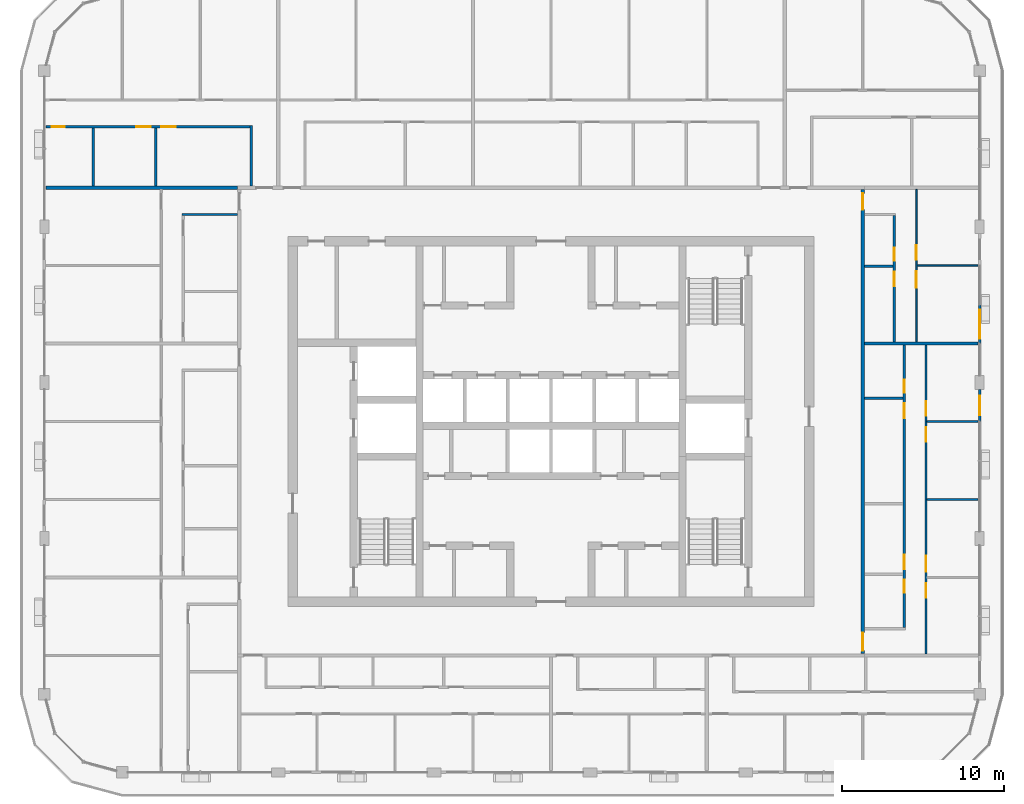
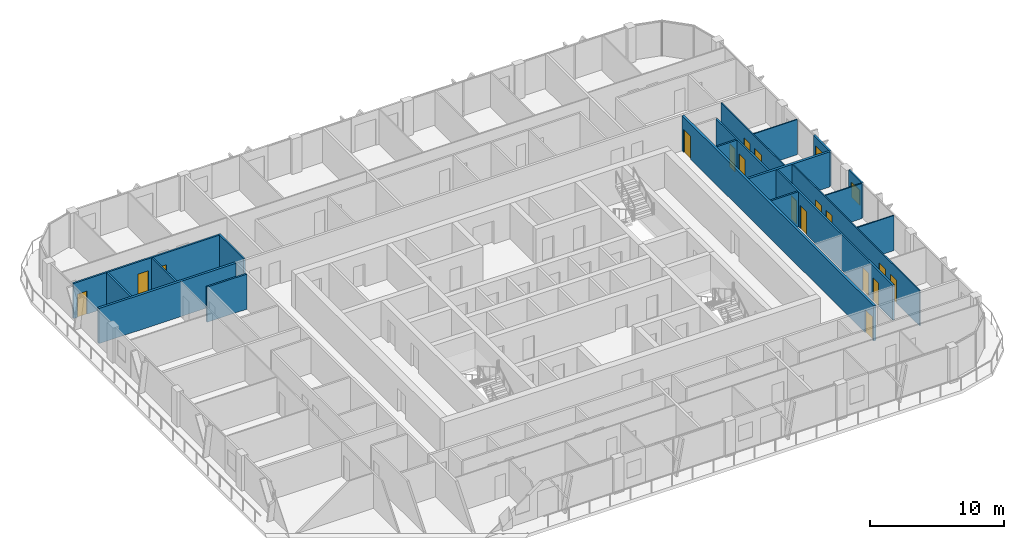
# One storey, part 13 of 21: 19 walls, 18 doors, 1 window, 19 openings.
"""IFC4 building model written with IfcOpenShell, lengths in metres."""

from ifc_helpers import new_model, si_unit, direction, frame, frame_2d, origin, place, context, subcontext, project, spatial, rectangle, extrude, material, layer, layer_set, type_object, element, fill, save


model = new_model("IFC4")

# Units and contexts
model_context = context("Model", 3, precision=1e-05, world=origin(), true_north=direction((0.0, 1.0)))
body_context = subcontext(model_context, "Body", "Model", "MODEL_VIEW")
ifc_project = project(units=[si_unit("LENGTHUNIT", "METRE"), si_unit("AREAUNIT", "SQUARE_METRE"), si_unit("VOLUMEUNIT", "CUBIC_METRE"), si_unit("PLANEANGLEUNIT", "RADIAN"), si_unit("MASSUNIT", "GRAM", prefix="KILO")], contexts=[model_context])

# Site, building, storey
site_placement = place(None, origin())
site = spatial("IfcSite", under=ifc_project, at=site_placement, CompositionType="ELEMENT")
building_placement = place(site_placement, origin())
building = spatial("IfcBuilding", under=site, at=building_placement, Name="Madar Terraces", CompositionType="ELEMENT")
storey_placement = place(building_placement, frame((0.0, 0.0, 245.699951171875)))
storey = spatial("IfcBuildingStorey", under=building, at=storey_placement, Name="L64", CompositionType="ELEMENT", Elevation=245.699951171875)

# Wall, opening, window
ifc_material_1 = material(Name="Aluminium composite panel, black, over insulated backing", Category="aluminium")
ifc_layer_1 = layer(ifc_material_1, 0.14990234375)
ifc_layer_set_1 = layer_set([ifc_layer_1], Name="Facade bay panel 150")
wall_type_1 = type_object("IfcWallType", Name="Facade bay panel 150", PredefinedType="SOLIDWALL", material=ifc_layer_set_1)
wall_1_placement = place(storey_placement, frame((57.60009765625, 26.39990234375, 0.0), z_axis=(0.0, 0.0, 1.0), x_axis=(0.0, 1.0, 0.0)))
wall_1 = element("IfcWall", 1, at=wall_1_placement, inside=storey, type_object=wall_type_1, Name="Facade bay panel", PredefinedType="SOLIDWALL", context=body_context, shape_type="SweptSolid", body=[
    extrude(rectangle(XDim=1.97509765625, YDim=0.14990234375, at=frame_2d((0.987548828125, 0.0))), origin(), (0.0, 0.0, 1.0), 3.199951171875),
])
opening_1_placement = place(wall_1_placement, frame((0.387451171875, 0.0, 0.89990234375)))
opening_1 = element("IfcOpeningElement", 2, at=opening_1_placement, cuts=wall_1, Name="Opening W1", PredefinedType="OPENING", context=body_context, shape_type="SweptSolid", body=[
    extrude(rectangle(XDim=1.199951171875, YDim=1.39990234375, at=frame_2d((0.60009765625, 0.699951171875))), frame((0.0, 0.0849609375, 0.0), z_axis=(0.0, -1.0, 0.0), x_axis=(1.0, 0.0, 0.0)), (0.0, 0.0, 1.0), 0.169921875),
])
ifc_material_2 = material(Name="Glass, clear, with black aluminium frame", Category="aluminium")
window_type = type_object("IfcWindowType", Name="Vent window 1200 x 1400", PartitioningType="SINGLE_PANEL", PredefinedType="WINDOW", material=ifc_material_2)
window_placement = place(opening_1_placement, origin())
window = element("IfcWindow", 3, at=window_placement, inside=storey, type_object=window_type, Name="Operable vent window", OverallHeight=1.39990234375, OverallWidth=1.199951171875, PartitioningType="SINGLE_PANEL", PredefinedType="WINDOW", context=body_context, shape_type="SweptSolid", body=[
    extrude(rectangle(XDim=1.199951171875, YDim=1.39990234375, at=frame_2d((0.60009765625, 0.699951171875))), frame((0.0, 0.030029296875, 0.0), z_axis=(0.0, -1.0, 0.0), x_axis=(1.0, 0.0, 0.0)), (0.0, 0.0, 1.0), 0.06005859375),
])
fill(opening_1, window)

# Wall, opening, door
wall_2_placement = place(storey_placement, frame((57.60009765625, 31.199951171875, 0.0), z_axis=(0.0, 0.0, 1.0), x_axis=(0.0, 1.0, 0.0)))
wall_2 = element("IfcWall", 4, at=wall_2_placement, inside=storey, type_object=wall_type_1, Name="Facade bay panel", PredefinedType="SOLIDWALL", context=body_context, shape_type="SweptSolid", body=[
    extrude(rectangle(XDim=2.400146484375, YDim=0.14990234375, at=frame_2d((1.2001953125, 0.0))), origin(), (0.0, 0.0, 1.0), 3.199951171875),
])
opening_2_placement = place(wall_2_placement, frame((0.300048828125, 0.0, 0.0)))
opening_2 = element("IfcOpeningElement", 5, at=opening_2_placement, cuts=wall_2, Name="Opening ED1", PredefinedType="OPENING", context=body_context, shape_type="SweptSolid", body=[
    extrude(rectangle(XDim=1.800048828125, YDim=2.39990234375, at=frame_2d((0.89990234375, 1.199951171875))), frame((0.0, 0.0849609375, 0.0), z_axis=(0.0, -1.0, 0.0), x_axis=(1.0, 0.0, 0.0)), (0.0, 0.0, 1.0), 0.169921875),
])
ifc_material_3 = material(Name="Glass, clear, with black aluminium frame", Category="aluminium")
door_type_1 = type_object("IfcDoorType", Name="Balcony and terrace sliding door 1800 x 2400", OperationType="SLIDING_TO_LEFT", PredefinedType="DOOR", material=ifc_material_3)
door_1_placement = place(opening_2_placement, origin())
door_1 = element("IfcDoor", 6, at=door_1_placement, inside=storey, type_object=door_type_1, Name="Balcony door", OperationType="SLIDING_TO_LEFT", OverallHeight=2.39990234375, OverallWidth=1.800048828125, PredefinedType="DOOR", context=body_context, shape_type="SweptSolid", body=[
    extrude(rectangle(XDim=1.800048828125, YDim=2.39990234375, at=frame_2d((0.89990234375, 1.199951171875))), frame((0.0, 0.02490234375, 0.0), z_axis=(0.0, -1.0, 0.0), x_axis=(1.0, 0.0, 0.0)), (0.0, 0.0, 1.0), 0.050048828125),
])
fill(opening_2, door_1)

# Walls
ifc_material_4 = material(Name="Gypsum board on steel studs", Category="steel")
ifc_layer_2 = layer(ifc_material_4, 0.10009765625)
ifc_layer_set_2 = layer_set([ifc_layer_2], Name="Flat partition 100")
wall_type_2 = type_object("IfcWallType", Name="Flat partition 100", PredefinedType="PARTITIONING", material=ifc_layer_set_2)
for number, where, z_axis, x_axis, name in (
    (7, (54.35009765625, 21.60009765625, 0.0), (0.0, 0.0, 1.0), (1.0, 0.0, 0.0), "Flat partition 100"),
    (8, (54.35009765625, 26.39990234375, 0.0), (0.0, 0.0, 1.0), (1.0, 0.0, 0.0), "Flat partition 100"),
):
    element("IfcWall", number, at=place(storey_placement, frame(where, z_axis=z_axis, x_axis=x_axis)), inside=storey, type_object=wall_type_2, Name=name, PredefinedType="PARTITIONING", context=body_context, shape_type="SweptSolid", body=[
        extrude(rectangle(XDim=3.14990234375, YDim=0.10009765625, at=frame_2d((1.574951171875, 0.0))), origin(), (0.0, 0.0, 1.0), 3.199951171875),
    ])

# Wall, openings, doors
wall_3_placement = place(storey_placement, frame((54.300048828125, 31.10009765625, 0.0), z_axis=(0.0, 0.0, 1.0), x_axis=(0.0, -1.0, 0.0)))
wall_3 = element("IfcWall", 9, at=wall_3_placement, inside=storey, type_object=wall_type_2, Name="Flat partition 100", PredefinedType="PARTITIONING", context=body_context, shape_type="SweptSolid", body=[
    extrude(rectangle(XDim=19.0, YDim=0.10009765625, at=frame_2d((9.5, 0.0))), origin(), (0.0, 0.0, 1.0), 3.199951171875),
])
opening_3_placement = place(wall_3_placement, frame((14.64990234375, 0.0, 0.0)))
opening_3 = element("IfcOpeningElement", 10, at=opening_3_placement, cuts=wall_3, Name="Opening D2", PredefinedType="OPENING", context=body_context, shape_type="SweptSolid", body=[
    extrude(rectangle(XDim=0.89990234375, YDim=2.10009765625, at=frame_2d((0.449951171875, 1.050048828125))), frame((0.0, 0.06005859375, 0.0), z_axis=(0.0, -1.0, 0.0), x_axis=(1.0, 0.0, 0.0)), (0.0, 0.0, 1.0), 0.1201171875),
])
opening_4_placement = place(wall_3_placement, frame((12.949951171875, 0.0, 0.0)))
opening_4 = element("IfcOpeningElement", 11, at=opening_4_placement, cuts=wall_3, Name="Opening D3", PredefinedType="OPENING", context=body_context, shape_type="SweptSolid", body=[
    extrude(rectangle(XDim=1.0, YDim=2.10009765625, at=frame_2d((0.5, 1.050048828125))), frame((0.0, 0.06005859375, 0.0), z_axis=(0.0, -1.0, 0.0), x_axis=(1.0, 0.0, 0.0)), (0.0, 0.0, 1.0), 0.1201171875),
])
opening_5_placement = place(wall_3_placement, frame((5.050048828125, 0.0, 0.0)))
opening_5 = element("IfcOpeningElement", 12, at=opening_5_placement, cuts=wall_3, Name="Opening D2", PredefinedType="OPENING", context=body_context, shape_type="SweptSolid", body=[
    extrude(rectangle(XDim=0.89990234375, YDim=2.10009765625, at=frame_2d((0.449951171875, 1.050048828125))), frame((0.0, 0.06005859375, 0.0), z_axis=(0.0, -1.0, 0.0), x_axis=(1.0, 0.0, 0.0)), (0.0, 0.0, 1.0), 0.1201171875),
])
opening_6_placement = place(wall_3_placement, frame((3.449951171875, 0.0, 0.0)))
opening_6 = element("IfcOpeningElement", 13, at=opening_6_placement, cuts=wall_3, Name="Opening D2", PredefinedType="OPENING", context=body_context, shape_type="SweptSolid", body=[
    extrude(rectangle(XDim=0.89990234375, YDim=2.10009765625, at=frame_2d((0.449951171875, 1.050048828125))), frame((0.0, 0.06005859375, 0.0), z_axis=(0.0, -1.0, 0.0), x_axis=(1.0, 0.0, 0.0)), (0.0, 0.0, 1.0), 0.1201171875),
])
ifc_material_5 = material(Name="Timber door leaf", Category="wood")
door_type_2 = type_object("IfcDoorType", Name="Flat living room door 1000", OperationType="NOTDEFINED", PredefinedType="DOOR", material=ifc_material_5)
door_2_placement = place(opening_4_placement, origin())
door_2 = element("IfcDoor", 14, at=door_2_placement, inside=storey, type_object=door_type_2, Name="Flat living room door 1000", OperationType="SINGLE_SWING_RIGHT", OverallHeight=2.10009765625, OverallWidth=1.0, PredefinedType="DOOR", context=body_context, shape_type="SweptSolid", body=[
    extrude(rectangle(XDim=1.0, YDim=2.10009765625, at=frame_2d((0.5, 1.050048828125))), frame((0.0, 0.02490234375, 0.0), z_axis=(0.0, -1.0, 0.0), x_axis=(1.0, 0.0, 0.0)), (0.0, 0.0, 1.0), 0.050048828125),
])
fill(opening_4, door_2)
ifc_material_6 = material(Name="Timber door leaf", Category="wood")
door_type_3 = type_object("IfcDoorType", Name="Flat room door 900", OperationType="NOTDEFINED", PredefinedType="DOOR", material=ifc_material_6)
door_3_placement = place(opening_3_placement, origin())
door_3 = element("IfcDoor", 15, at=door_3_placement, inside=storey, type_object=door_type_3, Name="Flat room door 900", OperationType="SINGLE_SWING_LEFT", OverallHeight=2.10009765625, OverallWidth=0.89990234375, PredefinedType="DOOR", context=body_context, shape_type="SweptSolid", body=[
    extrude(rectangle(XDim=0.89990234375, YDim=2.10009765625, at=frame_2d((0.449951171875, 1.050048828125))), frame((0.0, 0.02490234375, 0.0), z_axis=(0.0, -1.0, 0.0), x_axis=(1.0, 0.0, 0.0)), (0.0, 0.0, 1.0), 0.050048828125),
])
fill(opening_3, door_3)
door_4_placement = place(opening_5_placement, origin())
door_4 = element("IfcDoor", 16, at=door_4_placement, inside=storey, type_object=door_type_3, Name="Flat room door 900", OperationType="SINGLE_SWING_LEFT", OverallHeight=2.10009765625, OverallWidth=0.89990234375, PredefinedType="DOOR", context=body_context, shape_type="SweptSolid", body=[
    extrude(rectangle(XDim=0.89990234375, YDim=2.10009765625, at=frame_2d((0.449951171875, 1.050048828125))), frame((0.0, 0.02490234375, 0.0), z_axis=(0.0, -1.0, 0.0), x_axis=(1.0, 0.0, 0.0)), (0.0, 0.0, 1.0), 0.050048828125),
])
fill(opening_5, door_4)
door_5_placement = place(opening_6_placement, origin())
door_5 = element("IfcDoor", 17, at=door_5_placement, inside=storey, type_object=door_type_3, Name="Flat room door 900", OperationType="SINGLE_SWING_RIGHT", OverallHeight=2.10009765625, OverallWidth=0.89990234375, PredefinedType="DOOR", context=body_context, shape_type="SweptSolid", body=[
    extrude(rectangle(XDim=0.89990234375, YDim=2.10009765625, at=frame_2d((0.449951171875, 1.050048828125))), frame((0.0, 0.02490234375, 0.0), z_axis=(0.0, -1.0, 0.0), x_axis=(1.0, 0.0, 0.0)), (0.0, 0.0, 1.0), 0.050048828125),
])
fill(opening_6, door_5)

# Wall
wall_4_placement = place(storey_placement, frame((53.75, 36.0, 0.0), z_axis=(0.0, 0.0, 1.0), x_axis=(1.0, 0.0, 0.0)))
element("IfcWall", 18, at=wall_4_placement, inside=storey, type_object=wall_type_2, Name="Flat partition 100", PredefinedType="PARTITIONING", context=body_context, shape_type="SweptSolid", body=[
    extrude(rectangle(XDim=3.75, YDim=0.10009765625, at=frame_2d((1.875, 0.0))), origin(), (0.0, 0.0, 1.0), 3.199951171875),
])

# Wall, openings, doors
wall_5_placement = place(storey_placement, frame((53.699951171875, 40.699951171875, 0.0), z_axis=(0.0, 0.0, 1.0), x_axis=(0.0, -1.0, 0.0)))
wall_5 = element("IfcWall", 19, at=wall_5_placement, inside=storey, type_object=wall_type_2, Name="Flat partition 100", PredefinedType="PARTITIONING", context=body_context, shape_type="SweptSolid", body=[
    extrude(rectangle(XDim=9.39990234375, YDim=0.10009765625, at=frame_2d((4.699951171875, 0.0))), origin(), (0.0, 0.0, 1.0), 3.199951171875),
])
opening_7_placement = place(wall_5_placement, frame((3.449951171875, 0.0, 0.0)))
opening_7 = element("IfcOpeningElement", 20, at=opening_7_placement, cuts=wall_5, Name="Opening D2", PredefinedType="OPENING", context=body_context, shape_type="SweptSolid", body=[
    extrude(rectangle(XDim=0.89990234375, YDim=2.10009765625, at=frame_2d((0.449951171875, 1.050048828125))), frame((0.0, 0.06005859375, 0.0), z_axis=(0.0, -1.0, 0.0), x_axis=(1.0, 0.0, 0.0)), (0.0, 0.0, 1.0), 0.1201171875),
])
opening_8_placement = place(wall_5_placement, frame((5.050048828125, 0.0, 0.0)))
opening_8 = element("IfcOpeningElement", 21, at=opening_8_placement, cuts=wall_5, Name="Opening D3", PredefinedType="OPENING", context=body_context, shape_type="SweptSolid", body=[
    extrude(rectangle(XDim=1.0, YDim=2.10009765625, at=frame_2d((0.5, 1.050048828125))), frame((0.0, 0.06005859375, 0.0), z_axis=(0.0, -1.0, 0.0), x_axis=(1.0, 0.0, 0.0)), (0.0, 0.0, 1.0), 0.1201171875),
])
door_6_placement = place(opening_8_placement, origin())
door_6 = element("IfcDoor", 22, at=door_6_placement, inside=storey, type_object=door_type_2, Name="Flat living room door 1000", OperationType="SINGLE_SWING_LEFT", OverallHeight=2.10009765625, OverallWidth=1.0, PredefinedType="DOOR", context=body_context, shape_type="SweptSolid", body=[
    extrude(rectangle(XDim=1.0, YDim=2.10009765625, at=frame_2d((0.5, 1.050048828125))), frame((0.0, 0.02490234375, 0.0), z_axis=(0.0, -1.0, 0.0), x_axis=(1.0, 0.0, 0.0)), (0.0, 0.0, 1.0), 0.050048828125),
])
fill(opening_8, door_6)
door_7_placement = place(opening_7_placement, origin())
door_7 = element("IfcDoor", 23, at=door_7_placement, inside=storey, type_object=door_type_3, Name="Flat room door 900", OperationType="SINGLE_SWING_RIGHT", OverallHeight=2.10009765625, OverallWidth=0.89990234375, PredefinedType="DOOR", context=body_context, shape_type="SweptSolid", body=[
    extrude(rectangle(XDim=0.89990234375, YDim=2.10009765625, at=frame_2d((0.449951171875, 1.050048828125))), frame((0.0, 0.02490234375, 0.0), z_axis=(0.0, -1.0, 0.0), x_axis=(1.0, 0.0, 0.0)), (0.0, 0.0, 1.0), 0.050048828125),
])
fill(opening_7, door_7)

ifc_material_7 = material(Name="Lightweight blockwork", Category="masonry")
ifc_layer_3 = layer(ifc_material_7, 0.199951171875)
ifc_layer_set_3 = layer_set([ifc_layer_3], Name="Flat party and entrance wall 200")
wall_type_3 = type_object("IfcWallType", Name="Flat party and entrance wall 200", PredefinedType="PARTITIONING", material=ifc_layer_set_3)
wall_6_placement = place(storey_placement, frame((50.39990234375, 40.699951171875, 0.0), z_axis=(0.0, 0.0, 1.0), x_axis=(0.0, -1.0, 0.0)))
wall_6 = element("IfcWall", 24, at=wall_6_placement, inside=storey, type_object=wall_type_3, Name="Flat party and entrance wall 200", PredefinedType="PARTITIONING", context=body_context, shape_type="SweptSolid", body=[
    extrude(rectangle(XDim=28.599853515625, YDim=0.199951171875, at=frame_2d((14.2998046875, 0.0))), origin(), (0.0, 0.0, 1.0), 3.199951171875),
])
opening_9_placement = place(wall_6_placement, frame((27.300048828125, 0.0, 0.0)))
opening_9 = element("IfcOpeningElement", 25, at=opening_9_placement, cuts=wall_6, Name="Opening D6", PredefinedType="OPENING", context=body_context, shape_type="SweptSolid", body=[
    extrude(rectangle(XDim=1.10009765625, YDim=2.10009765625, at=frame_2d((0.550048828125, 1.050048828125))), frame((0.0, 0.10986328125, 0.0), z_axis=(0.0, -1.0, 0.0), x_axis=(1.0, 0.0, 0.0)), (0.0, 0.0, 1.0), 0.219970703125),
])
opening_10_placement = place(wall_6_placement, frame((0.25, 0.0, 0.0)))
opening_10 = element("IfcOpeningElement", 26, at=opening_10_placement, cuts=wall_6, Name="Opening D1", PredefinedType="OPENING", context=body_context, shape_type="SweptSolid", body=[
    extrude(rectangle(XDim=1.0, YDim=2.10009765625, at=frame_2d((0.5, 1.050048828125))), frame((0.0, 0.10986328125, 0.0), z_axis=(0.0, -1.0, 0.0), x_axis=(1.0, 0.0, 0.0)), (0.0, 0.0, 1.0), 0.219970703125),
])
ifc_material_8 = material(Name="Timber fire door leaf", Category="wood")
door_type_4 = type_object("IfcDoorType", Name="Flat entrance door 1000 FD30S", OperationType="NOTDEFINED", PredefinedType="DOOR", material=ifc_material_8)
door_8_placement = place(opening_10_placement, origin())
door_8 = element("IfcDoor", 27, at=door_8_placement, inside=storey, type_object=door_type_4, Name="Flat entrance door 1000 FD30S", OperationType="SINGLE_SWING_LEFT", OverallHeight=2.10009765625, OverallWidth=1.0, PredefinedType="DOOR", context=body_context, shape_type="SweptSolid", body=[
    extrude(rectangle(XDim=1.0, YDim=2.10009765625, at=frame_2d((0.5, 1.050048828125))), frame((0.0, 0.02490234375, 0.0), z_axis=(0.0, -1.0, 0.0), x_axis=(1.0, 0.0, 0.0)), (0.0, 0.0, 1.0), 0.050048828125),
])
fill(opening_10, door_8)
ifc_material_9 = material(Name="Timber fire door leaf", Category="wood")
door_type_5 = type_object("IfcDoorType", Name="Flat entrance door 1100 FD30S", OperationType="NOTDEFINED", PredefinedType="DOOR", material=ifc_material_9)
door_9_placement = place(opening_9_placement, origin())
door_9 = element("IfcDoor", 28, at=door_9_placement, inside=storey, type_object=door_type_5, Name="Flat entrance door 1100 FD30S", OperationType="SINGLE_SWING_RIGHT", OverallHeight=2.10009765625, OverallWidth=1.10009765625, PredefinedType="DOOR", context=body_context, shape_type="SweptSolid", body=[
    extrude(rectangle(XDim=1.10009765625, YDim=2.10009765625, at=frame_2d((0.550048828125, 1.050048828125))), frame((0.0, 0.02490234375, 0.0), z_axis=(0.0, -1.0, 0.0), x_axis=(1.0, 0.0, 0.0)), (0.0, 0.0, 1.0), 0.050048828125),
])
fill(opening_9, door_9)

# Walls
wall_7_placement = place(storey_placement, frame((50.5, 31.199951171875, 0.0), z_axis=(0.0, 0.0, 1.0), x_axis=(1.0, 0.0, 0.0)))
element("IfcWall", 29, at=wall_7_placement, inside=storey, type_object=wall_type_3, Name="Flat party and entrance wall 200", PredefinedType="PARTITIONING", context=body_context, shape_type="SweptSolid", body=[
    extrude(rectangle(XDim=7.0, YDim=0.199951171875, at=frame_2d((3.5, 0.0))), origin(), (0.0, 0.0, 1.0), 3.199951171875),
])
wall_8_placement = place(storey_placement, frame((0.10009765625, 40.800048828125, 0.0), z_axis=(0.0, 0.0, 1.0), x_axis=(1.0, 0.0, 0.0)))
element("IfcWall", 30, at=wall_8_placement, inside=storey, type_object=wall_type_3, Name="Flat party and entrance wall 200", PredefinedType="PARTITIONING", context=body_context, shape_type="SweptSolid", body=[
    extrude(rectangle(XDim=11.7998046875, YDim=0.199951171875, at=frame_2d((5.89990234375, 0.0))), origin(), (0.0, 0.0, 1.0), 3.199951171875),
])
ifc_material_10 = material(Name="Lightweight blockwork", Category="masonry")
ifc_layer_4 = layer(ifc_material_10, 0.14990234375)
ifc_layer_set_4 = layer_set([ifc_layer_4], Name="Flat wet-room partition 150")
wall_type_4 = type_object("IfcWallType", Name="Flat wet-room partition 150", PredefinedType="PARTITIONING", material=ifc_layer_set_4)
wall_9_placement = place(storey_placement, frame((50.5, 27.84228515625, 0.0), z_axis=(0.0, 0.0, 1.0), x_axis=(1.0, 0.0, 0.0)))
element("IfcWall", 31, at=wall_9_placement, inside=storey, type_object=wall_type_4, Name="Flat wet-room partition 150", PredefinedType="PARTITIONING", context=body_context, shape_type="SweptSolid", body=[
    extrude(rectangle(XDim=2.375, YDim=0.14990234375, at=frame_2d((1.1875, 0.0))), origin(), (0.0, 0.0, 1.0), 3.199951171875),
])

# Wall, openings, doors
wall_10_placement = place(storey_placement, frame((52.949951171875, 13.72509765625, 0.0), z_axis=(0.0, 0.0, 1.0), x_axis=(0.0, 1.0, 0.0)))
wall_10 = element("IfcWall", 32, at=wall_10_placement, inside=storey, type_object=wall_type_4, Name="Flat wet-room partition 150", PredefinedType="PARTITIONING", context=body_context, shape_type="SweptSolid", body=[
    extrude(rectangle(XDim=17.375, YDim=0.14990234375, at=frame_2d((8.6875, 0.0))), origin(), (0.0, 0.0, 1.0), 3.199951171875),
])
opening_11_placement = place(wall_10_placement, frame((2.1328125, 0.0, 0.0)))
opening_11 = element("IfcOpeningElement", 33, at=opening_11_placement, cuts=wall_10, Name="Opening D4", PredefinedType="OPENING", context=body_context, shape_type="SweptSolid", body=[
    extrude(rectangle(XDim=0.800048828125, YDim=2.10009765625, at=frame_2d((0.39990234375, 1.050048828125))), frame((0.0, 0.0849609375, 0.0), z_axis=(0.0, -1.0, 0.0), x_axis=(1.0, 0.0, 0.0)), (0.0, 0.0, 1.0), 0.169921875),
])
opening_12_placement = place(wall_10_placement, frame((3.582763671875, 0.0, 0.0)))
opening_12 = element("IfcOpeningElement", 34, at=opening_12_placement, cuts=wall_10, Name="Opening D5", PredefinedType="OPENING", context=body_context, shape_type="SweptSolid", body=[
    extrude(rectangle(XDim=0.89990234375, YDim=2.10009765625, at=frame_2d((0.449951171875, 1.050048828125))), frame((0.0, 0.0849609375, 0.0), z_axis=(0.0, -1.0, 0.0), x_axis=(1.0, 0.0, 0.0)), (0.0, 0.0, 1.0), 0.169921875),
])
opening_13_placement = place(wall_10_placement, frame((12.89208984375, 0.0, 0.0)))
opening_13 = element("IfcOpeningElement", 35, at=opening_13_placement, cuts=wall_10, Name="Opening D2", PredefinedType="OPENING", context=body_context, shape_type="SweptSolid", body=[
    extrude(rectangle(XDim=0.89990234375, YDim=2.10009765625, at=frame_2d((0.449951171875, 1.050048828125))), frame((0.0, 0.0849609375, 0.0), z_axis=(0.0, -1.0, 0.0), x_axis=(1.0, 0.0, 0.0)), (0.0, 0.0, 1.0), 0.169921875),
])
opening_14_placement = place(wall_10_placement, frame((14.442138671875, 0.0, 0.0)))
opening_14 = element("IfcOpeningElement", 36, at=opening_14_placement, cuts=wall_10, Name="Opening D7", PredefinedType="OPENING", context=body_context, shape_type="SweptSolid", body=[
    extrude(rectangle(XDim=0.800048828125, YDim=2.10009765625, at=frame_2d((0.39990234375, 1.050048828125))), frame((0.0, 0.0849609375, 0.0), z_axis=(0.0, -1.0, 0.0), x_axis=(1.0, 0.0, 0.0)), (0.0, 0.0, 1.0), 0.169921875),
])
ifc_material_11 = material(Name="Timber door leaf", Category="wood")
door_type_6 = type_object("IfcDoorType", Name="Flat accessible bathroom door 900", OperationType="NOTDEFINED", PredefinedType="DOOR", material=ifc_material_11)
door_10_placement = place(opening_12_placement, origin())
door_10 = element("IfcDoor", 37, at=door_10_placement, inside=storey, type_object=door_type_6, Name="Flat accessible bathroom door 900", OperationType="SINGLE_SWING_LEFT", OverallHeight=2.10009765625, OverallWidth=0.89990234375, PredefinedType="DOOR", context=body_context, shape_type="SweptSolid", body=[
    extrude(rectangle(XDim=0.89990234375, YDim=2.10009765625, at=frame_2d((0.449951171875, 1.050048828125))), frame((0.0, 0.02490234375, 0.0), z_axis=(0.0, -1.0, 0.0), x_axis=(1.0, 0.0, 0.0)), (0.0, 0.0, 1.0), 0.050048828125),
])
fill(opening_12, door_10)
ifc_material_12 = material(Name="Timber door leaf", Category="wood")
door_type_7 = type_object("IfcDoorType", Name="Flat bathroom door 800", OperationType="NOTDEFINED", PredefinedType="DOOR", material=ifc_material_12)
door_11_placement = place(opening_11_placement, origin())
door_11 = element("IfcDoor", 38, at=door_11_placement, inside=storey, type_object=door_type_7, Name="Flat bathroom door 800", OperationType="SINGLE_SWING_RIGHT", OverallHeight=2.10009765625, OverallWidth=0.800048828125, PredefinedType="DOOR", context=body_context, shape_type="SweptSolid", body=[
    extrude(rectangle(XDim=0.800048828125, YDim=2.10009765625, at=frame_2d((0.39990234375, 1.050048828125))), frame((0.0, 0.02490234375, 0.0), z_axis=(0.0, -1.0, 0.0), x_axis=(1.0, 0.0, 0.0)), (0.0, 0.0, 1.0), 0.050048828125),
])
fill(opening_11, door_11)
door_12_placement = place(opening_13_placement, origin())
door_12 = element("IfcDoor", 39, at=door_12_placement, inside=storey, type_object=door_type_3, Name="Flat room door 900", OperationType="SINGLE_SWING_RIGHT", OverallHeight=2.10009765625, OverallWidth=0.89990234375, PredefinedType="DOOR", context=body_context, shape_type="SweptSolid", body=[
    extrude(rectangle(XDim=0.89990234375, YDim=2.10009765625, at=frame_2d((0.449951171875, 1.050048828125))), frame((0.0, 0.02490234375, 0.0), z_axis=(0.0, -1.0, 0.0), x_axis=(1.0, 0.0, 0.0)), (0.0, 0.0, 1.0), 0.050048828125),
])
fill(opening_13, door_12)
ifc_material_13 = material(Name="Timber door leaf", Category="wood")
door_type_8 = type_object("IfcDoorType", Name="Flat utility door 800", OperationType="NOTDEFINED", PredefinedType="DOOR", material=ifc_material_13)
door_13_placement = place(opening_14_placement, origin())
door_13 = element("IfcDoor", 40, at=door_13_placement, inside=storey, type_object=door_type_8, Name="Flat utility door 800", OperationType="SINGLE_SWING_LEFT", OverallHeight=2.10009765625, OverallWidth=0.800048828125, PredefinedType="DOOR", context=body_context, shape_type="SweptSolid", body=[
    extrude(rectangle(XDim=0.800048828125, YDim=2.10009765625, at=frame_2d((0.39990234375, 1.050048828125))), frame((0.0, 0.02490234375, 0.0), z_axis=(0.0, -1.0, 0.0), x_axis=(1.0, 0.0, 0.0)), (0.0, 0.0, 1.0), 0.050048828125),
])
fill(opening_14, door_13)

# Wall
wall_11_placement = place(storey_placement, frame((50.5, 35.965087890625, 0.0), z_axis=(0.0, 0.0, 1.0), x_axis=(1.0, 0.0, 0.0)))
element("IfcWall", 41, at=wall_11_placement, inside=storey, type_object=wall_type_4, Name="Flat wet-room partition 150", PredefinedType="PARTITIONING", context=body_context, shape_type="SweptSolid", body=[
    extrude(rectangle(XDim=1.77490234375, YDim=0.14990234375, at=frame_2d((0.887451171875, 0.0))), origin(), (0.0, 0.0, 1.0), 3.199951171875),
])

# Wall, openings, doors
wall_12_placement = place(storey_placement, frame((52.35009765625, 31.300048828125, 0.0), z_axis=(0.0, 0.0, 1.0), x_axis=(0.0, 1.0, 0.0)))
wall_12 = element("IfcWall", 42, at=wall_12_placement, inside=storey, type_object=wall_type_4, Name="Flat wet-room partition 150", PredefinedType="PARTITIONING", context=body_context, shape_type="SweptSolid", body=[
    extrude(rectangle(XDim=7.77490234375, YDim=0.14990234375, at=frame_2d((3.887451171875, 0.0))), origin(), (0.0, 0.0, 1.0), 3.199951171875),
])
opening_15_placement = place(wall_12_placement, frame((4.989990234375, 0.0, 0.0)))
opening_15 = element("IfcOpeningElement", 43, at=opening_15_placement, cuts=wall_12, Name="Opening D4", PredefinedType="OPENING", context=body_context, shape_type="SweptSolid", body=[
    extrude(rectangle(XDim=0.800048828125, YDim=2.10009765625, at=frame_2d((0.39990234375, 1.050048828125))), frame((0.0, 0.0849609375, 0.0), z_axis=(0.0, -1.0, 0.0), x_axis=(1.0, 0.0, 0.0)), (0.0, 0.0, 1.0), 0.169921875),
])
opening_16_placement = place(wall_12_placement, frame((3.43994140625, 0.0, 0.0)))
opening_16 = element("IfcOpeningElement", 44, at=opening_16_placement, cuts=wall_12, Name="Opening D2", PredefinedType="OPENING", context=body_context, shape_type="SweptSolid", body=[
    extrude(rectangle(XDim=0.89990234375, YDim=2.10009765625, at=frame_2d((0.449951171875, 1.050048828125))), frame((0.0, 0.0849609375, 0.0), z_axis=(0.0, -1.0, 0.0), x_axis=(1.0, 0.0, 0.0)), (0.0, 0.0, 1.0), 0.169921875),
])
door_14_placement = place(opening_15_placement, origin())
door_14 = element("IfcDoor", 45, at=door_14_placement, inside=storey, type_object=door_type_7, Name="Flat bathroom door 800", OperationType="SINGLE_SWING_LEFT", OverallHeight=2.10009765625, OverallWidth=0.800048828125, PredefinedType="DOOR", context=body_context, shape_type="SweptSolid", body=[
    extrude(rectangle(XDim=0.800048828125, YDim=2.10009765625, at=frame_2d((0.39990234375, 1.050048828125))), frame((0.0, 0.02490234375, 0.0), z_axis=(0.0, -1.0, 0.0), x_axis=(1.0, 0.0, 0.0)), (0.0, 0.0, 1.0), 0.050048828125),
])
fill(opening_15, door_14)
door_15_placement = place(opening_16_placement, origin())
door_15 = element("IfcDoor", 46, at=door_15_placement, inside=storey, type_object=door_type_3, Name="Flat room door 900", OperationType="SINGLE_SWING_RIGHT", OverallHeight=2.10009765625, OverallWidth=0.89990234375, PredefinedType="DOOR", context=body_context, shape_type="SweptSolid", body=[
    extrude(rectangle(XDim=0.89990234375, YDim=2.10009765625, at=frame_2d((0.449951171875, 1.050048828125))), frame((0.0, 0.02490234375, 0.0), z_axis=(0.0, -1.0, 0.0), x_axis=(1.0, 0.0, 0.0)), (0.0, 0.0, 1.0), 0.050048828125),
])
fill(opening_16, door_15)

# Walls
for number, where, z_axis, x_axis, name in (
    (47, (6.87109375, 40.89990234375, 0.0), (0.0, 0.0, 1.0), (0.0, 1.0, 0.0), "Flat wet-room partition 150"),
    (48, (3.001953125, 40.89990234375, 0.0), (0.0, 0.0, 1.0), (0.0, 1.0, 0.0), "Flat wet-room partition 150"),
):
    element("IfcWall", number, at=place(storey_placement, frame(where, z_axis=z_axis, x_axis=x_axis)), inside=storey, type_object=wall_type_4, Name=name, PredefinedType="PARTITIONING", context=body_context, shape_type="SweptSolid", body=[
        extrude(rectangle(XDim=3.5751953125, YDim=0.14990234375, at=frame_2d((1.78759765625, 0.0))), origin(), (0.0, 0.0, 1.0), 3.199951171875),
    ])
wall_13_placement = place(storey_placement, frame((12.75, 40.89990234375, 0.0), z_axis=(0.0, 0.0, 1.0), x_axis=(0.0, 1.0, 0.0)))
element("IfcWall", 49, at=wall_13_placement, inside=storey, type_object=wall_type_4, Name="Flat wet-room partition 150", PredefinedType="PARTITIONING", context=body_context, shape_type="SweptSolid", body=[
    extrude(rectangle(XDim=3.72509765625, YDim=0.14990234375, at=frame_2d((1.862548828125, 0.0))), origin(), (0.0, 0.0, 1.0), 3.199951171875),
])

# Wall, openings, doors
wall_14_placement = place(storey_placement, frame((12.675048828125, 44.550048828125, 0.0), z_axis=(0.0, 0.0, 1.0), x_axis=(-1.0, 0.0, 0.0)))
wall_14 = element("IfcWall", 50, at=wall_14_placement, inside=storey, type_object=wall_type_4, Name="Flat wet-room partition 150", PredefinedType="PARTITIONING", context=body_context, shape_type="SweptSolid", body=[
    extrude(rectangle(XDim=12.574951171875, YDim=0.14990234375, at=frame_2d((6.28759765625, 0.0))), origin(), (0.0, 0.0, 1.0), 3.199951171875),
])
opening_17_placement = place(wall_14_placement, frame((4.578857421875, 0.0, 0.0)))
opening_17 = element("IfcOpeningElement", 51, at=opening_17_placement, cuts=wall_14, Name="Opening D2", PredefinedType="OPENING", context=body_context, shape_type="SweptSolid", body=[
    extrude(rectangle(XDim=0.89990234375, YDim=2.10009765625, at=frame_2d((0.449951171875, 1.050048828125))), frame((0.0, 0.0849609375, 0.0), z_axis=(0.0, -1.0, 0.0), x_axis=(1.0, 0.0, 0.0)), (0.0, 0.0, 1.0), 0.169921875),
])
opening_18_placement = place(wall_14_placement, frame((6.12890625, 0.0, 0.0)))
opening_18 = element("IfcOpeningElement", 52, at=opening_18_placement, cuts=wall_14, Name="Opening D5", PredefinedType="OPENING", context=body_context, shape_type="SweptSolid", body=[
    extrude(rectangle(XDim=0.89990234375, YDim=2.10009765625, at=frame_2d((0.449951171875, 1.050048828125))), frame((0.0, 0.0849609375, 0.0), z_axis=(0.0, -1.0, 0.0), x_axis=(1.0, 0.0, 0.0)), (0.0, 0.0, 1.0), 0.169921875),
])
opening_19_placement = place(wall_14_placement, frame((11.425048828125, 0.0, 0.0)))
opening_19 = element("IfcOpeningElement", 53, at=opening_19_placement, cuts=wall_14, Name="Opening D4", PredefinedType="OPENING", context=body_context, shape_type="SweptSolid", body=[
    extrude(rectangle(XDim=0.800048828125, YDim=2.10009765625, at=frame_2d((0.39990234375, 1.050048828125))), frame((0.0, 0.0849609375, 0.0), z_axis=(0.0, -1.0, 0.0), x_axis=(1.0, 0.0, 0.0)), (0.0, 0.0, 1.0), 0.169921875),
])
door_16_placement = place(opening_18_placement, origin())
door_16 = element("IfcDoor", 54, at=door_16_placement, inside=storey, type_object=door_type_6, Name="Flat accessible bathroom door 900", OperationType="SINGLE_SWING_LEFT", OverallHeight=2.10009765625, OverallWidth=0.89990234375, PredefinedType="DOOR", context=body_context, shape_type="SweptSolid", body=[
    extrude(rectangle(XDim=0.89990234375, YDim=2.10009765625, at=frame_2d((0.449951171875, 1.050048828125))), frame((0.0, 0.02490234375, 0.0), z_axis=(0.0, -1.0, 0.0), x_axis=(1.0, 0.0, 0.0)), (0.0, 0.0, 1.0), 0.050048828125),
])
fill(opening_18, door_16)
door_17_placement = place(opening_19_placement, origin())
door_17 = element("IfcDoor", 55, at=door_17_placement, inside=storey, type_object=door_type_7, Name="Flat bathroom door 800", OperationType="SINGLE_SWING_RIGHT", OverallHeight=2.10009765625, OverallWidth=0.800048828125, PredefinedType="DOOR", context=body_context, shape_type="SweptSolid", body=[
    extrude(rectangle(XDim=0.800048828125, YDim=2.10009765625, at=frame_2d((0.39990234375, 1.050048828125))), frame((0.0, 0.02490234375, 0.0), z_axis=(0.0, -1.0, 0.0), x_axis=(1.0, 0.0, 0.0)), (0.0, 0.0, 1.0), 0.050048828125),
])
fill(opening_19, door_17)
door_18_placement = place(opening_17_placement, origin())
door_18 = element("IfcDoor", 56, at=door_18_placement, inside=storey, type_object=door_type_3, Name="Flat room door 900", OperationType="SINGLE_SWING_RIGHT", OverallHeight=2.10009765625, OverallWidth=0.89990234375, PredefinedType="DOOR", context=body_context, shape_type="SweptSolid", body=[
    extrude(rectangle(XDim=0.89990234375, YDim=2.10009765625, at=frame_2d((0.449951171875, 1.050048828125))), frame((0.0, 0.02490234375, 0.0), z_axis=(0.0, -1.0, 0.0), x_axis=(1.0, 0.0, 0.0)), (0.0, 0.0, 1.0), 0.050048828125),
])
fill(opening_17, door_18)

# Wall
wall_15_placement = place(storey_placement, frame((11.89990234375, 39.14990234375, 0.0), z_axis=(0.0, 0.0, 1.0), x_axis=(-1.0, 0.0, 0.0)))
element("IfcWall", 57, at=wall_15_placement, inside=storey, type_object=wall_type_4, Name="Flat wet-room partition 150", PredefinedType="PARTITIONING", context=body_context, shape_type="SweptSolid", body=[
    extrude(rectangle(XDim=3.4248046875, YDim=0.14990234375, at=frame_2d((1.71240234375, 0.0))), origin(), (0.0, 0.0, 1.0), 3.199951171875),
])

save(model, "model.ifc")
